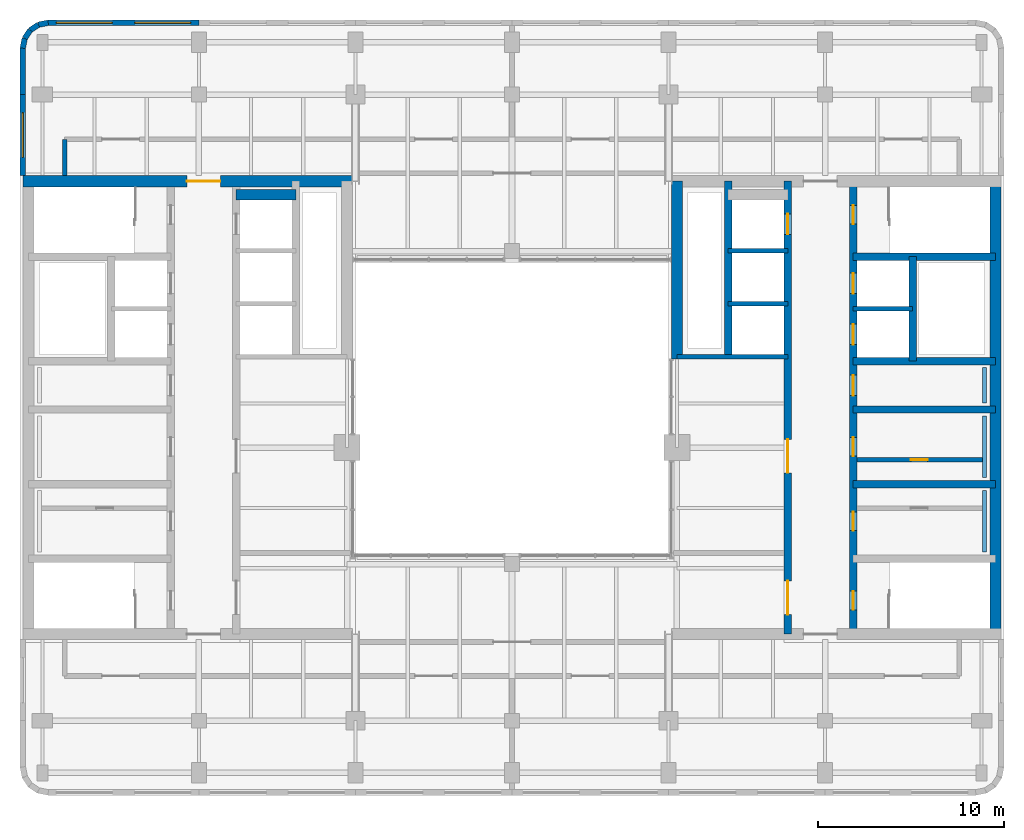
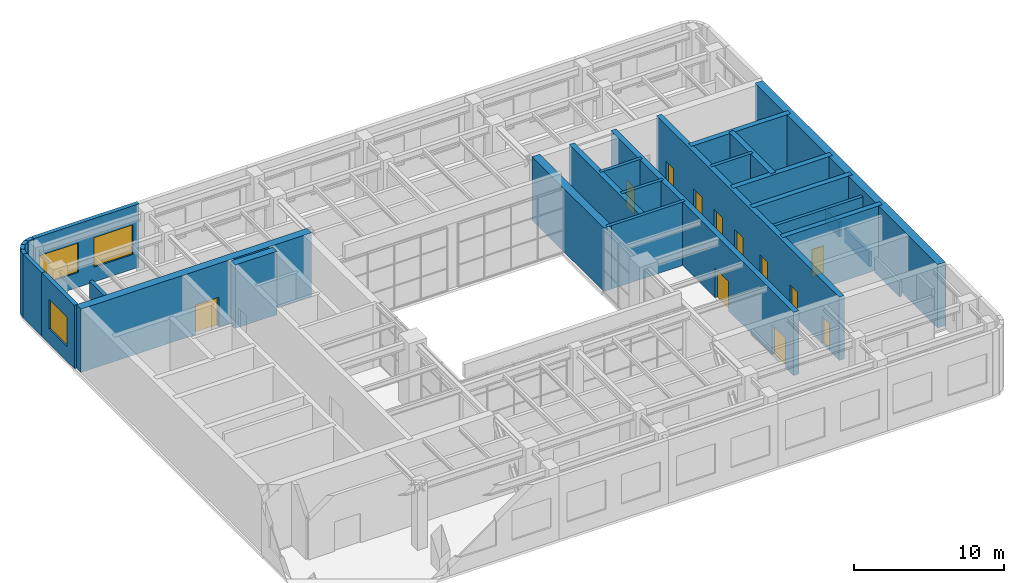
# One storey, part 9 of 11: 28 walls, 12 doors, 3 windows, 15 openings.
"""IFC4 building model written with IfcOpenShell, lengths in metres."""

from ifc_helpers import new_model, si_unit, direction, frame, frame_2d, origin, place, context, subcontext, project, spatial, rectangle, extrude, material, layer, layer_set, type_object, element, fill, save


model = new_model("IFC4")

# Units and contexts
model_context = context("Model", 3, precision=1e-05, world=origin(), true_north=direction((0.0, 1.0)))
body_context = subcontext(model_context, "Body", "Model", "MODEL_VIEW")
ifc_project = project(units=[si_unit("LENGTHUNIT", "METRE"), si_unit("AREAUNIT", "SQUARE_METRE"), si_unit("VOLUMEUNIT", "CUBIC_METRE"), si_unit("PLANEANGLEUNIT", "RADIAN"), si_unit("MASSUNIT", "GRAM", prefix="KILO")], contexts=[model_context])

# Site, building, storey
site_placement = place(None, origin())
site = spatial("IfcSite", under=ifc_project, at=site_placement, CompositionType="ELEMENT")
building_placement = place(site_placement, origin())
building = spatial("IfcBuilding", under=site, at=building_placement, Name="Claustro Exchange Tower", CompositionType="ELEMENT")
storey_placement = place(building_placement, frame((0.0, 0.0, 281.699951171875)))
storey = spatial("IfcBuildingStorey", under=building, at=storey_placement, Name="L64", CompositionType="ELEMENT", Elevation=281.699951171875)

# Wall
ifc_material_1 = material(Name="Concrete blockwork, rendered", Category="masonry")
ifc_layer_1 = layer(ifc_material_1, 0.25)
ifc_layer_set_1 = layer_set([ifc_layer_1], Name="Concrete blockwork, rendered")
wall_type_1 = type_object("IfcWallType", Name="P4 250 blockwork wall", PredefinedType="PARTITIONING", material=ifc_layer_set_1)
wall_1_placement = place(storey_placement, frame((1.199951171875, 37.64794921875, 0.0), z_axis=(0.0, 0.0, 1.0), x_axis=(0.0, 1.0, 0.0)))
element("IfcWall", 1, at=wall_1_placement, inside=storey, type_object=wall_type_1, Name="Partition P4 L64", PredefinedType="PARTITIONING", context=body_context, shape_type="SweptSolid", body=[
    extrude(rectangle(XDim=1.9521484375, YDim=0.25, at=frame_2d((0.97607421875, 0.0))), origin(), (0.0, 0.0, 1.0), 5.150146484375),
])

# Wall, opening, door
wall_2_placement = place(storey_placement, frame((43.699951171875, 22.39990234375, 0.0), z_axis=(0.0, 0.0, 1.0), x_axis=(1.0, 0.0, 0.0)))
wall_2 = element("IfcWall", 2, at=wall_2_placement, inside=storey, type_object=wall_type_1, Name="Partition P4 L64", PredefinedType="PARTITIONING", context=body_context, shape_type="SweptSolid", body=[
    extrude(rectangle(XDim=6.75, YDim=0.25, at=frame_2d((3.375, 0.0))), origin(), (0.0, 0.0, 1.0), 5.199951171875),
])
opening_1_placement = place(wall_2_placement, frame((2.89990234375, 0.0, 0.0)))
opening_1 = element("IfcOpeningElement", 3, at=opening_1_placement, cuts=wall_2, Name="Opening D5", PredefinedType="OPENING", context=body_context, shape_type="SweptSolid", body=[
    extrude(rectangle(XDim=0.89990234375, YDim=2.199951171875, at=frame_2d((0.449951171875, 1.10009765625))), frame((0.0, 0.135009765625, 0.0), z_axis=(0.0, -1.0, 0.0), x_axis=(1.0, 0.0, 0.0)), (0.0, 0.0, 1.0), 0.27001953125),
])
ifc_material_2 = material(Name="Steel door, painted", Category="steel")
door_type_1 = type_object("IfcDoorType", Name="D5 900 x 2200 store door", OperationType="SINGLE_SWING_LEFT", PredefinedType="DOOR", material=ifc_material_2)
door_1_placement = place(opening_1_placement, frame((0.89990234375, 0.0, 0.0), z_axis=(0.0, 0.0, 1.0), x_axis=(-1.0, 0.0, 0.0)))
door_1 = element("IfcDoor", 4, at=door_1_placement, inside=storey, type_object=door_type_1, Name="Store door D5 L64", OperationType="SINGLE_SWING_LEFT", OverallHeight=2.199951171875, OverallWidth=0.89990234375, PredefinedType="DOOR", context=body_context, shape_type="SweptSolid", body=[
    extrude(rectangle(XDim=0.89990234375, YDim=2.199951171875, at=frame_2d((0.449951171875, 1.10009765625))), frame((0.0, 0.02490234375, 0.0), z_axis=(0.0, -1.0, 0.0), x_axis=(1.0, 0.0, 0.0)), (0.0, 0.0, 1.0), 0.050048828125),
])
fill(opening_1, door_1)

# Wall, opening, window
ifc_material_3 = material(Name="Concrete HA-40 (C40/50), precast, white cement, acid-etched", Category="concrete")
ifc_layer_2 = layer(ifc_material_3, 0.300048828125)
ifc_layer_set_2 = layer_set([ifc_layer_2], Name="Concrete HA-40 (C40/50), precast, white cement, acid-etched")
wall_type_2 = type_object("IfcWallType", Name="PC1 300 precast concrete pier panel", PredefinedType="SOLIDWALL", material=ifc_layer_set_2)
wall_3_placement = place(storey_placement, frame((-1.050048828125, 37.64990234375, 0.0), z_axis=(0.0, 0.0, 1.0), x_axis=(0.0, 1.0, 0.0)))
wall_3 = element("IfcWall", 5, at=wall_3_placement, inside=storey, type_object=wall_type_2, Name="Precast pier panel PC1 L64", PredefinedType="SOLIDWALL", context=body_context, shape_type="SweptSolid", body=[
    extrude(rectangle(XDim=4.35009765625, YDim=0.300048828125, at=frame_2d((2.175048828125, 0.0))), origin(), (0.0, 0.0, 1.0), 5.150146484375),
])
opening_2_placement = place(wall_3_placement, frame((0.97509765625, 0.0, 1.199951171875)))
opening_2 = element("IfcOpeningElement", 6, at=opening_2_placement, cuts=wall_3, Name="Opening L2", PredefinedType="OPENING", context=body_context, shape_type="SweptSolid", body=[
    extrude(rectangle(XDim=2.39990234375, YDim=2.39990234375, at=frame_2d((1.199951171875, 1.199951171875))), frame((0.0, 0.159912109375, 0.0), z_axis=(0.0, -1.0, 0.0), x_axis=(1.0, 0.0, 0.0)), (0.0, 0.0, 1.0), 0.320068359375),
])
ifc_material_4 = material(Name="Aluminium louvre blades", Category="aluminium")
window_type_1 = type_object("IfcWindowType", Name="L2 2400 x 2400 plant louvre", PartitioningType="SINGLE_PANEL", PredefinedType="USERDEFINED", material=ifc_material_4)
window_1_placement = place(opening_2_placement, origin())
window_1 = element("IfcWindow", 7, at=window_1_placement, inside=storey, type_object=window_type_1, Name="Plant louvre L2 L64", ObjectType="LOUVRE", OverallHeight=2.39990234375, OverallWidth=2.39990234375, PartitioningType="SINGLE_PANEL", PredefinedType="USERDEFINED", context=body_context, shape_type="SweptSolid", body=[
    extrude(rectangle(XDim=2.39990234375, YDim=2.39990234375, at=frame_2d((1.199951171875, 1.199951171875))), frame((0.0, 0.030029296875, 0.0), z_axis=(0.0, -1.0, 0.0), x_axis=(1.0, 0.0, 0.0)), (0.0, 0.0, 1.0), 0.06005859375),
])
fill(opening_2, window_1)

# Walls
wall_4_placement = place(storey_placement, frame((-1.050048828125, 42.0, 0.0), z_axis=(0.0, 0.0, 1.0), x_axis=(0.0, 1.0, 0.0)))
element("IfcWall", 8, at=wall_4_placement, inside=storey, type_object=wall_type_2, Name="Precast pier panel PC1 L64", PredefinedType="SOLIDWALL", context=body_context, shape_type="SweptSolid", body=[
    extrude(rectangle(XDim=2.485107421875, YDim=0.300048828125, at=frame_2d((1.24267578125, 0.0))), origin(), (0.0, 0.0, 1.0), 5.150146484375),
])
wall_5_placement = place(storey_placement, frame((-1.050048828125, 44.485107421875, 0.0), z_axis=(0.0, 0.0, 1.0), x_axis=(0.195073962632, 0.980788534345, 0.0)))
element("IfcWall", 9, at=wall_5_placement, inside=storey, type_object=wall_type_2, Name="Precast pier panel PC1 L64", PredefinedType="SOLIDWALL", context=body_context, shape_type="SweptSolid", body=[
    extrude(rectangle(XDim=0.540771484375, YDim=0.300048828125, at=frame_2d((0.2705078125, 0.0))), origin(), (0.0, 0.0, 1.0), 5.150146484375),
])
wall_6_placement = place(storey_placement, frame((-0.944580078125, 45.015380859375, 0.0), z_axis=(0.0, 0.0, 1.0), x_axis=(0.55534295404, 0.831621430339, 0.0)))
element("IfcWall", 10, at=wall_6_placement, inside=storey, type_object=wall_type_2, Name="Precast pier panel PC1 L64", PredefinedType="SOLIDWALL", context=body_context, shape_type="SweptSolid", body=[
    extrude(rectangle(XDim=0.52587890625, YDim=0.300048828125, at=frame_2d((0.262939453125, 0.0))), origin(), (0.0, 0.0, 1.0), 5.150146484375),
])
wall_7_placement = place(storey_placement, frame((-0.652587890625, 45.45263671875, 0.0), z_axis=(0.0, 0.0, 1.0), x_axis=(0.831692711774, 0.555236195849, 0.0)))
element("IfcWall", 11, at=wall_7_placement, inside=storey, type_object=wall_type_2, Name="Precast pier panel PC1 L64", PredefinedType="SOLIDWALL", context=body_context, shape_type="SweptSolid", body=[
    extrude(rectangle(XDim=0.525390625, YDim=0.300048828125, at=frame_2d((0.2626953125, 0.0))), origin(), (0.0, 0.0, 1.0), 5.150146484375),
])
wall_8_placement = place(storey_placement, frame((-0.215576171875, 45.744384765625, 0.0), z_axis=(0.0, 0.0, 1.0), x_axis=(0.980702050465, 0.1955082817, 0.0)))
element("IfcWall", 12, at=wall_8_placement, inside=storey, type_object=wall_type_2, Name="Precast pier panel PC1 L64", PredefinedType="SOLIDWALL", context=body_context, shape_type="SweptSolid", body=[
    extrude(rectangle(XDim=0.540771484375, YDim=0.300048828125, at=frame_2d((0.2705078125, 0.0))), origin(), (0.0, 0.0, 1.0), 5.150146484375),
])

# Wall, openings, windows
wall_9_placement = place(storey_placement, frame((0.314697265625, 45.85009765625, 0.0), z_axis=(0.0, 0.0, 1.0), x_axis=(1.0, 0.0, 0.0)))
wall_9 = element("IfcWall", 13, at=wall_9_placement, inside=storey, type_object=wall_type_2, Name="Precast pier panel PC1 L64", PredefinedType="SOLIDWALL", context=body_context, shape_type="SweptSolid", body=[
    extrude(rectangle(XDim=8.085205078125, YDim=0.300048828125, at=frame_2d((4.04248046875, 0.0))), origin(), (0.0, 0.0, 1.0), 5.150146484375),
])
opening_3_placement = place(wall_9_placement, frame((0.442626953125, 0.0, 1.199951171875)))
opening_3 = element("IfcOpeningElement", 14, at=opening_3_placement, cuts=wall_9, Name="Opening L1", PredefinedType="OPENING", context=body_context, shape_type="SweptSolid", body=[
    extrude(rectangle(XDim=3.0, YDim=2.39990234375, at=frame_2d((1.5, 1.199951171875))), frame((0.0, 0.159912109375, 0.0), z_axis=(0.0, -1.0, 0.0), x_axis=(1.0, 0.0, 0.0)), (0.0, 0.0, 1.0), 0.320068359375),
])
opening_4_placement = place(wall_9_placement, frame((4.642578125, 0.0, 1.199951171875)))
opening_4 = element("IfcOpeningElement", 15, at=opening_4_placement, cuts=wall_9, Name="Opening L1", PredefinedType="OPENING", context=body_context, shape_type="SweptSolid", body=[
    extrude(rectangle(XDim=3.0, YDim=2.39990234375, at=frame_2d((1.5, 1.199951171875))), frame((0.0, 0.159912109375, 0.0), z_axis=(0.0, -1.0, 0.0), x_axis=(1.0, 0.0, 0.0)), (0.0, 0.0, 1.0), 0.320068359375),
])
ifc_material_5 = material(Name="Aluminium louvre blades", Category="aluminium")
window_type_2 = type_object("IfcWindowType", Name="L1 3000 x 2400 plant louvre", PartitioningType="SINGLE_PANEL", PredefinedType="USERDEFINED", material=ifc_material_5)
window_2_placement = place(opening_3_placement, origin())
window_2 = element("IfcWindow", 16, at=window_2_placement, inside=storey, type_object=window_type_2, Name="Plant louvre L1 L64", ObjectType="LOUVRE", OverallHeight=2.39990234375, OverallWidth=3.0, PartitioningType="SINGLE_PANEL", PredefinedType="USERDEFINED", context=body_context, shape_type="SweptSolid", body=[
    extrude(rectangle(XDim=3.0, YDim=2.39990234375, at=frame_2d((1.5, 1.199951171875))), frame((0.0, 0.030029296875, 0.0), z_axis=(0.0, -1.0, 0.0), x_axis=(1.0, 0.0, 0.0)), (0.0, 0.0, 1.0), 0.06005859375),
])
fill(opening_3, window_2)
window_3_placement = place(opening_4_placement, origin())
window_3 = element("IfcWindow", 17, at=window_3_placement, inside=storey, type_object=window_type_2, Name="Plant louvre L1 L64", ObjectType="LOUVRE", OverallHeight=2.39990234375, OverallWidth=3.0, PartitioningType="SINGLE_PANEL", PredefinedType="USERDEFINED", context=body_context, shape_type="SweptSolid", body=[
    extrude(rectangle(XDim=3.0, YDim=2.39990234375, at=frame_2d((1.5, 1.199951171875))), frame((0.0, 0.030029296875, 0.0), z_axis=(0.0, -1.0, 0.0), x_axis=(1.0, 0.0, 0.0)), (0.0, 0.0, 1.0), 0.06005859375),
])
fill(opening_4, window_3)

# Walls
ifc_material_6 = material(Name="Gypsum board on steel studs, tiled", Category="steel")
ifc_layer_3 = layer(ifc_material_6, 0.199951171875)
ifc_layer_set_3 = layer_set([ifc_layer_3], Name="Gypsum board on steel studs, tiled")
wall_type_3 = type_object("IfcWallType", Name="PW1 200 WC duct wall", PredefinedType="PLUMBINGWALL", material=ifc_layer_set_3)
for number, where, z_axis, x_axis, name in (
    (18, (50.550048828125, 17.449951171875, 0.0), (0.0, 0.0, 1.0), (0.0, 1.0, 0.0), "WC duct wall PW1 L64"),
    (19, (50.550048828125, 21.449951171875, 0.0), (0.0, 0.0, 1.0), (0.0, 1.0, 0.0), "WC duct wall PW1 L64"),
):
    element("IfcWall", number, at=place(storey_placement, frame(where, z_axis=z_axis, x_axis=x_axis)), inside=storey, type_object=wall_type_3, Name=name, PredefinedType="PLUMBINGWALL", context=body_context, shape_type="SweptSolid", body=[
        extrude(rectangle(XDim=3.300048828125, YDim=0.199951171875, at=frame_2d((1.64990234375, 0.0))), origin(), (0.0, 0.0, 1.0), 1.199951171875),
    ])
wall_10_placement = place(storey_placement, frame((50.550048828125, 25.449951171875, 0.0), z_axis=(0.0, 0.0, 1.0), x_axis=(0.0, 1.0, 0.0)))
element("IfcWall", 20, at=wall_10_placement, inside=storey, type_object=wall_type_3, Name="WC duct wall PW1 L64", PredefinedType="PLUMBINGWALL", context=body_context, shape_type="SweptSolid", body=[
    extrude(rectangle(XDim=1.900146484375, YDim=0.199951171875, at=frame_2d((0.9501953125, 0.0))), origin(), (0.0, 0.0, 1.0), 1.199951171875),
])

# Wall, opening, door
ifc_material_7 = material(Name="Concrete HA-50 (C50/60)", Category="concrete")
ifc_layer_4 = layer(ifc_material_7, 0.60009765625)
ifc_layer_set_4 = layer_set([ifc_layer_4], Name="Concrete HA-50 (C50/60)")
wall_type_4 = type_object("IfcWallType", Name="SW3 600 core shear wall", PredefinedType="SHEAR", material=ifc_layer_set_4)
wall_11_placement = place(storey_placement, frame((-1.050048828125, 37.35009765625, 0.0), z_axis=(0.0, 0.0, 1.0), x_axis=(1.0, 0.0, 0.0)))
wall_11 = element("IfcWall", 21, at=wall_11_placement, inside=storey, type_object=wall_type_4, Name="Core wall SW3 W core N face L64", PredefinedType="SHEAR", context=body_context, shape_type="SweptSolid", body=[
    extrude(rectangle(XDim=17.699951171875, YDim=0.60009765625, at=frame_2d((8.85009765625, 0.0))), origin(), (0.0, 0.0, 1.0), 5.150146484375),
])
opening_5_placement = place(wall_11_placement, frame((8.800048828125, 0.0, 0.0)))
opening_5 = element("IfcOpeningElement", 22, at=opening_5_placement, cuts=wall_11, Name="Opening D3", PredefinedType="OPENING", context=body_context, shape_type="SweptSolid", body=[
    extrude(rectangle(XDim=1.800048828125, YDim=2.39990234375, at=frame_2d((0.89990234375, 1.199951171875))), frame((0.0, 0.31005859375, 0.0), z_axis=(0.0, -1.0, 0.0), x_axis=(1.0, 0.0, 0.0)), (0.0, 0.0, 1.0), 0.6201171875),
])
ifc_material_8 = material(Name="Steel fire door, painted", Category="steel")
door_type_2 = type_object("IfcDoorType", Name="D3 1800 x 2400 fire-rated lobby double door", OperationType="DOUBLE_DOOR_SINGLE_SWING", PredefinedType="DOOR", material=ifc_material_8)
door_2_placement = place(opening_5_placement, origin())
door_2 = element("IfcDoor", 23, at=door_2_placement, inside=storey, type_object=door_type_2, Name="Lift lobby door D3 L64", OperationType="DOUBLE_DOOR_SINGLE_SWING", OverallHeight=2.39990234375, OverallWidth=1.800048828125, PredefinedType="DOOR", context=body_context, shape_type="SweptSolid", body=[
    extrude(rectangle(XDim=1.800048828125, YDim=2.39990234375, at=frame_2d((0.89990234375, 1.199951171875))), frame((0.0, 0.02490234375, 0.0), z_axis=(0.0, -1.0, 0.0), x_axis=(1.0, 0.0, 0.0)), (0.0, 0.0, 1.0), 0.050048828125),
])
fill(opening_5, door_2)

# Walls
ifc_material_9 = material(Name="Concrete HA-50 (C50/60)", Category="concrete")
ifc_layer_5 = layer(ifc_material_9, 0.60009765625)
ifc_layer_set_5 = layer_set([ifc_layer_5], Name="Concrete HA-50 (C50/60)")
wall_type_5 = type_object("IfcWallType", Name="SW3X 600 exposed core shear wall, board-marked face", PredefinedType="SHEAR", material=ifc_layer_set_5)
wall_12_placement = place(storey_placement, frame((34.050048828125, 27.800048828125, 0.0), z_axis=(0.0, 0.0, 1.0), x_axis=(0.0, 1.0, 0.0)))
element("IfcWall", 24, at=wall_12_placement, inside=storey, type_object=wall_type_5, Name="Core wall SW3X E core W face L64", PredefinedType="SHEAR", context=body_context, shape_type="SweptSolid", body=[
    extrude(rectangle(XDim=9.550048828125, YDim=0.60009765625, at=frame_2d((4.77490234375, 0.0))), origin(), (0.0, 0.0, 1.0), 5.150146484375),
])
wall_13_placement = place(storey_placement, frame((51.14990234375, 13.050048828125, 0.0), z_axis=(0.0, 0.0, 1.0), x_axis=(0.0, 1.0, 0.0)))
element("IfcWall", 25, at=wall_13_placement, inside=storey, type_object=wall_type_5, Name="Core wall SW3X E core E face L64", PredefinedType="SHEAR", context=body_context, shape_type="SweptSolid", body=[
    extrude(rectangle(XDim=24.300048828125, YDim=0.60009765625, at=frame_2d((12.14990234375, 0.0))), origin(), (0.0, 0.0, 1.0), 5.150146484375),
])

# Wall, openings, doors
ifc_material_10 = material(Name="Concrete HA-50 (C50/60)", Category="concrete")
ifc_layer_6 = layer(ifc_material_10, 0.39990234375)
ifc_layer_set_6 = layer_set([ifc_layer_6], Name="Concrete HA-50 (C50/60)")
wall_type_6 = type_object("IfcWallType", Name="SW4 400 internal core wall", PredefinedType="SHEAR", material=ifc_layer_set_6)
wall_14_placement = place(storey_placement, frame((43.5, 13.050048828125, 0.0), z_axis=(0.0, 0.0, 1.0), x_axis=(0.0, 1.0, 0.0)))
wall_14 = element("IfcWall", 26, at=wall_14_placement, inside=storey, type_object=wall_type_6, Name="Internal core wall SW4 E core L64", PredefinedType="SHEAR", context=body_context, shape_type="SweptSolid", body=[
    extrude(rectangle(XDim=24.300048828125, YDim=0.39990234375, at=frame_2d((12.14990234375, 0.0))), origin(), (0.0, 0.0, 1.0), 5.150146484375),
])
opening_6_placement = place(wall_14_placement, frame((1.300048828125, 0.0, 0.0)))
opening_6 = element("IfcOpeningElement", 27, at=opening_6_placement, cuts=wall_14, Name="Opening D4", PredefinedType="OPENING", context=body_context, shape_type="SweptSolid", body=[
    extrude(rectangle(XDim=1.0, YDim=2.199951171875, at=frame_2d((0.5, 1.10009765625))), frame((0.0, 0.2099609375, 0.0), z_axis=(0.0, -1.0, 0.0), x_axis=(1.0, 0.0, 0.0)), (0.0, 0.0, 1.0), 0.419921875),
])
opening_7_placement = place(wall_14_placement, frame((22.0, 0.0, 0.0)))
opening_7 = element("IfcOpeningElement", 28, at=opening_7_placement, cuts=wall_14, Name="Opening D4", PredefinedType="OPENING", context=body_context, shape_type="SweptSolid", body=[
    extrude(rectangle(XDim=1.0, YDim=2.199951171875, at=frame_2d((0.5, 1.10009765625))), frame((0.0, 0.2099609375, 0.0), z_axis=(0.0, -1.0, 0.0), x_axis=(1.0, 0.0, 0.0)), (0.0, 0.0, 1.0), 0.419921875),
])
opening_8_placement = place(wall_14_placement, frame((5.550048828125, 0.0, 0.0)))
opening_8 = element("IfcOpeningElement", 29, at=opening_8_placement, cuts=wall_14, Name="Opening D1", PredefinedType="OPENING", context=body_context, shape_type="SweptSolid", body=[
    extrude(rectangle(XDim=1.0, YDim=2.199951171875, at=frame_2d((0.5, 1.10009765625))), frame((0.0, 0.2099609375, 0.0), z_axis=(0.0, -1.0, 0.0), x_axis=(1.0, 0.0, 0.0)), (0.0, 0.0, 1.0), 0.419921875),
])
opening_9_placement = place(wall_14_placement, frame((9.550048828125, 0.0, 0.0)))
opening_9 = element("IfcOpeningElement", 30, at=opening_9_placement, cuts=wall_14, Name="Opening D1", PredefinedType="OPENING", context=body_context, shape_type="SweptSolid", body=[
    extrude(rectangle(XDim=1.0, YDim=2.199951171875, at=frame_2d((0.5, 1.10009765625))), frame((0.0, 0.2099609375, 0.0), z_axis=(0.0, -1.0, 0.0), x_axis=(1.0, 0.0, 0.0)), (0.0, 0.0, 1.0), 0.419921875),
])
opening_10_placement = place(wall_14_placement, frame((12.800048828125, 0.0, 0.0)))
opening_10 = element("IfcOpeningElement", 31, at=opening_10_placement, cuts=wall_14, Name="Opening D10", PredefinedType="OPENING", context=body_context, shape_type="SweptSolid", body=[
    extrude(rectangle(XDim=1.10009765625, YDim=2.199951171875, at=frame_2d((0.550048828125, 1.10009765625))), frame((0.0, 0.2099609375, 0.0), z_axis=(0.0, -1.0, 0.0), x_axis=(1.0, 0.0, 0.0)), (0.0, 0.0, 1.0), 0.419921875),
])
opening_11_placement = place(wall_14_placement, frame((15.53759765625, 0.0, 0.0)))
opening_11 = element("IfcOpeningElement", 32, at=opening_11_placement, cuts=wall_14, Name="Opening LD", PredefinedType="OPENING", context=body_context, shape_type="SweptSolid", body=[
    extrude(rectangle(XDim=1.10009765625, YDim=2.199951171875, at=frame_2d((0.550048828125, 1.10009765625))), frame((0.0, 0.2099609375, 0.0), z_axis=(0.0, -1.0, 0.0), x_axis=(1.0, 0.0, 0.0)), (0.0, 0.0, 1.0), 0.419921875),
])
opening_12_placement = place(wall_14_placement, frame((18.262451171875, 0.0, 0.0)))
opening_12 = element("IfcOpeningElement", 33, at=opening_12_placement, cuts=wall_14, Name="Opening LD", PredefinedType="OPENING", context=body_context, shape_type="SweptSolid", body=[
    extrude(rectangle(XDim=1.10009765625, YDim=2.199951171875, at=frame_2d((0.550048828125, 1.10009765625))), frame((0.0, 0.2099609375, 0.0), z_axis=(0.0, -1.0, 0.0), x_axis=(1.0, 0.0, 0.0)), (0.0, 0.0, 1.0), 0.419921875),
])
ifc_material_11 = material(Name="Timber door, oak veneer", Category="wood")
door_type_3 = type_object("IfcDoorType", Name="D1 1000 x 2200 single door", OperationType="SINGLE_SWING_LEFT", PredefinedType="DOOR", material=ifc_material_11)
door_3_placement = place(opening_8_placement, frame((1.0, 0.0, 0.0), z_axis=(0.0, 0.0, 1.0), x_axis=(-1.0, 0.0, 0.0)))
door_3 = element("IfcDoor", 34, at=door_3_placement, inside=storey, type_object=door_type_3, Name="Door D1 L64", OperationType="SINGLE_SWING_LEFT", OverallHeight=2.199951171875, OverallWidth=1.0, PredefinedType="DOOR", context=body_context, shape_type="SweptSolid", body=[
    extrude(rectangle(XDim=1.0, YDim=2.199951171875, at=frame_2d((0.5, 1.10009765625))), frame((0.0, 0.02490234375, 0.0), z_axis=(0.0, -1.0, 0.0), x_axis=(1.0, 0.0, 0.0)), (0.0, 0.0, 1.0), 0.050048828125),
])
fill(opening_8, door_3)
door_4_placement = place(opening_9_placement, frame((1.0, 0.0, 0.0), z_axis=(0.0, 0.0, 1.0), x_axis=(-1.0, 0.0, 0.0)))
door_4 = element("IfcDoor", 35, at=door_4_placement, inside=storey, type_object=door_type_3, Name="Door D1 L64", OperationType="SINGLE_SWING_RIGHT", OverallHeight=2.199951171875, OverallWidth=1.0, PredefinedType="DOOR", context=body_context, shape_type="SweptSolid", body=[
    extrude(rectangle(XDim=1.0, YDim=2.199951171875, at=frame_2d((0.5, 1.10009765625))), frame((0.0, 0.02490234375, 0.0), z_axis=(0.0, -1.0, 0.0), x_axis=(1.0, 0.0, 0.0)), (0.0, 0.0, 1.0), 0.050048828125),
])
fill(opening_9, door_4)
ifc_material_12 = material(Name="Timber door, oak veneer", Category="wood")
door_type_4 = type_object("IfcDoorType", Name="D10 1100 x 2200 accessible WC door", OperationType="SINGLE_SWING_LEFT", PredefinedType="DOOR", material=ifc_material_12)
door_5_placement = place(opening_10_placement, origin())
door_5 = element("IfcDoor", 36, at=door_5_placement, inside=storey, type_object=door_type_4, Name="Accessible WC door D10 L64", OperationType="SINGLE_SWING_RIGHT", OverallHeight=2.199951171875, OverallWidth=1.10009765625, PredefinedType="DOOR", context=body_context, shape_type="SweptSolid", body=[
    extrude(rectangle(XDim=1.10009765625, YDim=2.199951171875, at=frame_2d((0.550048828125, 1.10009765625))), frame((0.0, 0.02490234375, 0.0), z_axis=(0.0, -1.0, 0.0), x_axis=(1.0, 0.0, 0.0)), (0.0, 0.0, 1.0), 0.050048828125),
])
fill(opening_10, door_5)
ifc_material_13 = material(Name="Steel fire door, painted", Category="steel")
door_type_5 = type_object("IfcDoorType", Name="D4 1000 x 2200 fire-rated stair door", OperationType="SINGLE_SWING_LEFT", PredefinedType="DOOR", material=ifc_material_13)
door_6_placement = place(opening_6_placement, frame((1.0, 0.0, 0.0), z_axis=(0.0, 0.0, 1.0), x_axis=(-1.0, 0.0, 0.0)))
door_6 = element("IfcDoor", 37, at=door_6_placement, inside=storey, type_object=door_type_5, Name="Stair door D4 L64", OperationType="SINGLE_SWING_RIGHT", OverallHeight=2.199951171875, OverallWidth=1.0, PredefinedType="DOOR", context=body_context, shape_type="SweptSolid", body=[
    extrude(rectangle(XDim=1.0, YDim=2.199951171875, at=frame_2d((0.5, 1.10009765625))), frame((0.0, 0.02490234375, 0.0), z_axis=(0.0, -1.0, 0.0), x_axis=(1.0, 0.0, 0.0)), (0.0, 0.0, 1.0), 0.050048828125),
])
fill(opening_6, door_6)
door_7_placement = place(opening_7_placement, frame((1.0, 0.0, 0.0), z_axis=(0.0, 0.0, 1.0), x_axis=(-1.0, 0.0, 0.0)))
door_7 = element("IfcDoor", 38, at=door_7_placement, inside=storey, type_object=door_type_5, Name="Stair door D4 L64", OperationType="SINGLE_SWING_LEFT", OverallHeight=2.199951171875, OverallWidth=1.0, PredefinedType="DOOR", context=body_context, shape_type="SweptSolid", body=[
    extrude(rectangle(XDim=1.0, YDim=2.199951171875, at=frame_2d((0.5, 1.10009765625))), frame((0.0, 0.02490234375, 0.0), z_axis=(0.0, -1.0, 0.0), x_axis=(1.0, 0.0, 0.0)), (0.0, 0.0, 1.0), 0.050048828125),
])
fill(opening_7, door_7)
ifc_material_14 = material(Name="Stainless steel sliding door", Category="steel")
door_type_6 = type_object("IfcDoorType", Name="LD 1100 x 2200 lift landing door", OperationType="DOUBLE_DOOR_SLIDING", PredefinedType="DOOR", material=ifc_material_14)
door_8_placement = place(opening_11_placement, origin())
door_8 = element("IfcDoor", 39, at=door_8_placement, inside=storey, type_object=door_type_6, Name="Lift landing door LEE1 LD L64", OperationType="DOUBLE_DOOR_SLIDING", OverallHeight=2.199951171875, OverallWidth=1.10009765625, PredefinedType="DOOR", context=body_context, shape_type="SweptSolid", body=[
    extrude(rectangle(XDim=1.10009765625, YDim=2.199951171875, at=frame_2d((0.550048828125, 1.10009765625))), frame((0.0, 0.02490234375, 0.0), z_axis=(0.0, -1.0, 0.0), x_axis=(1.0, 0.0, 0.0)), (0.0, 0.0, 1.0), 0.050048828125),
])
fill(opening_11, door_8)
door_9_placement = place(opening_12_placement, origin())
door_9 = element("IfcDoor", 40, at=door_9_placement, inside=storey, type_object=door_type_6, Name="Lift landing door LEE2 LD L64", OperationType="DOUBLE_DOOR_SLIDING", OverallHeight=2.199951171875, OverallWidth=1.10009765625, PredefinedType="DOOR", context=body_context, shape_type="SweptSolid", body=[
    extrude(rectangle(XDim=1.10009765625, YDim=2.199951171875, at=frame_2d((0.550048828125, 1.10009765625))), frame((0.0, 0.02490234375, 0.0), z_axis=(0.0, -1.0, 0.0), x_axis=(1.0, 0.0, 0.0)), (0.0, 0.0, 1.0), 0.050048828125),
])
fill(opening_12, door_9)

wall_15_placement = place(storey_placement, frame((40.0, 13.050048828125, 0.0), z_axis=(0.0, 0.0, 1.0), x_axis=(0.0, 1.0, 0.0)))
wall_15 = element("IfcWall", 41, at=wall_15_placement, inside=storey, type_object=wall_type_6, Name="Internal core wall SW4 E core L64", PredefinedType="SHEAR", context=body_context, shape_type="SweptSolid", body=[
    extrude(rectangle(XDim=24.300048828125, YDim=0.39990234375, at=frame_2d((12.14990234375, 0.0))), origin(), (0.0, 0.0, 1.0), 5.150146484375),
])
opening_13_placement = place(wall_15_placement, frame((21.449951171875, 0.0, 0.0)))
opening_13 = element("IfcOpeningElement", 42, at=opening_13_placement, cuts=wall_15, Name="Opening LD", PredefinedType="OPENING", context=body_context, shape_type="SweptSolid", body=[
    extrude(rectangle(XDim=1.10009765625, YDim=2.199951171875, at=frame_2d((0.550048828125, 1.10009765625))), frame((0.0, 0.2099609375, 0.0), z_axis=(0.0, -1.0, 0.0), x_axis=(1.0, 0.0, 0.0)), (0.0, 0.0, 1.0), 0.419921875),
])
opening_14_placement = place(wall_15_placement, frame((8.64990234375, 0.0, 0.0)))
opening_14 = element("IfcOpeningElement", 43, at=opening_14_placement, cuts=wall_15, Name="Opening D3", PredefinedType="OPENING", context=body_context, shape_type="SweptSolid", body=[
    extrude(rectangle(XDim=1.800048828125, YDim=2.39990234375, at=frame_2d((0.89990234375, 1.199951171875))), frame((0.0, 0.2099609375, 0.0), z_axis=(0.0, -1.0, 0.0), x_axis=(1.0, 0.0, 0.0)), (0.0, 0.0, 1.0), 0.419921875),
])
opening_15_placement = place(wall_15_placement, frame((1.050048828125, 0.0, 0.0)))
opening_15 = element("IfcOpeningElement", 44, at=opening_15_placement, cuts=wall_15, Name="Opening D3", PredefinedType="OPENING", context=body_context, shape_type="SweptSolid", body=[
    extrude(rectangle(XDim=1.800048828125, YDim=2.39990234375, at=frame_2d((0.89990234375, 1.199951171875))), frame((0.0, 0.2099609375, 0.0), z_axis=(0.0, -1.0, 0.0), x_axis=(1.0, 0.0, 0.0)), (0.0, 0.0, 1.0), 0.419921875),
])
door_10_placement = place(opening_14_placement, origin())
door_10 = element("IfcDoor", 45, at=door_10_placement, inside=storey, type_object=door_type_2, Name="Core zone door D3 L64", OperationType="DOUBLE_DOOR_SINGLE_SWING", OverallHeight=2.39990234375, OverallWidth=1.800048828125, PredefinedType="DOOR", context=body_context, shape_type="SweptSolid", body=[
    extrude(rectangle(XDim=1.800048828125, YDim=2.39990234375, at=frame_2d((0.89990234375, 1.199951171875))), frame((0.0, 0.02490234375, 0.0), z_axis=(0.0, -1.0, 0.0), x_axis=(1.0, 0.0, 0.0)), (0.0, 0.0, 1.0), 0.050048828125),
])
fill(opening_14, door_10)
door_11_placement = place(opening_15_placement, origin())
door_11 = element("IfcDoor", 46, at=door_11_placement, inside=storey, type_object=door_type_2, Name="Core zone door D3 L64", OperationType="DOUBLE_DOOR_SINGLE_SWING", OverallHeight=2.39990234375, OverallWidth=1.800048828125, PredefinedType="DOOR", context=body_context, shape_type="SweptSolid", body=[
    extrude(rectangle(XDim=1.800048828125, YDim=2.39990234375, at=frame_2d((0.89990234375, 1.199951171875))), frame((0.0, 0.02490234375, 0.0), z_axis=(0.0, -1.0, 0.0), x_axis=(1.0, 0.0, 0.0)), (0.0, 0.0, 1.0), 0.050048828125),
])
fill(opening_15, door_11)
door_12_placement = place(opening_13_placement, origin())
door_12 = element("IfcDoor", 47, at=door_12_placement, inside=storey, type_object=door_type_6, Name="Lift landing door LSE1 LD L64", OperationType="DOUBLE_DOOR_SLIDING", OverallHeight=2.199951171875, OverallWidth=1.10009765625, PredefinedType="DOOR", context=body_context, shape_type="SweptSolid", body=[
    extrude(rectangle(XDim=1.10009765625, YDim=2.199951171875, at=frame_2d((0.550048828125, 1.10009765625))), frame((0.0, 0.02490234375, 0.0), z_axis=(0.0, -1.0, 0.0), x_axis=(1.0, 0.0, 0.0)), (0.0, 0.0, 1.0), 0.050048828125),
])
fill(opening_13, door_12)

# Walls
wall_16_placement = place(storey_placement, frame((36.800048828125, 27.925048828125, 0.0), z_axis=(0.0, 0.0, 1.0), x_axis=(0.0, 1.0, 0.0)))
element("IfcWall", 48, at=wall_16_placement, inside=storey, type_object=wall_type_6, Name="Internal core wall SW4 E core L64", PredefinedType="SHEAR", context=body_context, shape_type="SweptSolid", body=[
    extrude(rectangle(XDim=9.425048828125, YDim=0.39990234375, at=frame_2d((4.71240234375, 0.0))), origin(), (0.0, 0.0, 1.0), 5.150146484375),
])
for number, where, z_axis, x_axis, name in (
    (49, (51.14990234375, 21.10009765625, 0.0), (0.0, 0.0, 1.0), (-1.0, 0.0, 0.0), "Internal core wall SW4 E core L64"),
    (50, (51.14990234375, 25.10009765625, 0.0), (0.0, 0.0, 1.0), (-1.0, 0.0, 0.0), "Internal core wall SW4 E core L64"),
    (51, (51.14990234375, 27.699951171875, 0.0), (0.0, 0.0, 1.0), (-1.0, 0.0, 0.0), "Internal core wall SW4 E core L64"),
    (52, (51.14990234375, 33.300048828125, 0.0), (0.0, 0.0, 1.0), (-1.0, 0.0, 0.0), "Internal core wall SW4 E core L64"),
):
    element("IfcWall", number, at=place(storey_placement, frame(where, z_axis=z_axis, x_axis=x_axis)), inside=storey, type_object=wall_type_6, Name=name, PredefinedType="SHEAR", context=body_context, shape_type="SweptSolid", body=[
        extrude(rectangle(XDim=7.64990234375, YDim=0.39990234375, at=frame_2d((3.824951171875, 0.0))), origin(), (0.0, 0.0, 1.0), 5.150146484375),
    ])
wall_17_placement = place(storey_placement, frame((46.699951171875, 27.699951171875, 0.0), z_axis=(0.0, 0.0, 1.0), x_axis=(0.0, 1.0, 0.0)))
element("IfcWall", 53, at=wall_17_placement, inside=storey, type_object=wall_type_6, Name="Internal core wall SW4 E core L64", PredefinedType="SHEAR", context=body_context, shape_type="SweptSolid", body=[
    extrude(rectangle(XDim=5.60009765625, YDim=0.39990234375, at=frame_2d((2.800048828125, 0.0))), origin(), (0.0, 0.0, 1.0), 5.150146484375),
])
ifc_material_15 = material(Name="Concrete HA-50 (C50/60)", Category="concrete")
ifc_layer_7 = layer(ifc_material_15, 0.25)
ifc_layer_set_7 = layer_set([ifc_layer_7], Name="Concrete HA-50 (C50/60)")
wall_type_7 = type_object("IfcWallType", Name="SW5 250 lift shaft divider wall", PredefinedType="SHEAR", material=ifc_layer_set_7)
wall_18_placement = place(storey_placement, frame((46.699951171875, 30.5, 0.0), z_axis=(0.0, 0.0, 1.0), x_axis=(-1.0, 0.0, 0.0)))
element("IfcWall", 54, at=wall_18_placement, inside=storey, type_object=wall_type_7, Name="Lift shaft wall E core L64", PredefinedType="SHEAR", context=body_context, shape_type="SweptSolid", body=[
    extrude(rectangle(XDim=3.199951171875, YDim=0.25, at=frame_2d((1.60009765625, 0.0))), origin(), (0.0, 0.0, 1.0), 5.150146484375),
])
wall_19_placement = place(storey_placement, frame((40.0, 27.925048828125, 0.0), z_axis=(0.0, 0.0, 1.0), x_axis=(-1.0, 0.0, 0.0)))
element("IfcWall", 55, at=wall_19_placement, inside=storey, type_object=wall_type_7, Name="Core step wall E core L64", PredefinedType="SHEAR", context=body_context, shape_type="SweptSolid", body=[
    extrude(rectangle(XDim=5.949951171875, YDim=0.25, at=frame_2d((2.97509765625, 0.0))), origin(), (0.0, 0.0, 1.0), 5.150146484375),
])
for number, where, z_axis, x_axis, name in (
    (56, (40.0, 30.77490234375, 0.0), (0.0, 0.0, 1.0), (-1.0, 0.0, 0.0), "Lift shaft wall E core L64"),
    (57, (40.0, 33.625, 0.0), (0.0, 0.0, 1.0), (-1.0, 0.0, 0.0), "Lift shaft wall E core L64"),
):
    element("IfcWall", number, at=place(storey_placement, frame(where, z_axis=z_axis, x_axis=x_axis)), inside=storey, type_object=wall_type_7, Name=name, PredefinedType="SHEAR", context=body_context, shape_type="SweptSolid", body=[
        extrude(rectangle(XDim=3.199951171875, YDim=0.25, at=frame_2d((1.60009765625, 0.0))), origin(), (0.0, 0.0, 1.0), 5.150146484375),
    ])
ifc_material_16 = material(Name="Concrete HA-50 (C50/60)", Category="concrete")
ifc_layer_8 = layer(ifc_material_16, 0.550048828125)
ifc_layer_set_8 = layer_set([ifc_layer_8], Name="Concrete HA-50 (C50/60)")
wall_type_8 = type_object("IfcWallType", Name="SW6 550 lift shaft end wall", PredefinedType="SHEAR", material=ifc_layer_set_8)
wall_20_placement = place(storey_placement, frame((10.39990234375, 36.625, 0.0), z_axis=(0.0, 0.0, 1.0), x_axis=(1.0, 0.0, 0.0)))
element("IfcWall", 58, at=wall_20_placement, inside=storey, type_object=wall_type_8, Name="Lift shaft wall W core L64", PredefinedType="SHEAR", context=body_context, shape_type="SweptSolid", body=[
    extrude(rectangle(XDim=3.2001953125, YDim=0.550048828125, at=frame_2d((1.60009765625, 0.0))), origin(), (0.0, 0.0, 1.0), 5.150146484375),
])

save(model, "model.ifc")
